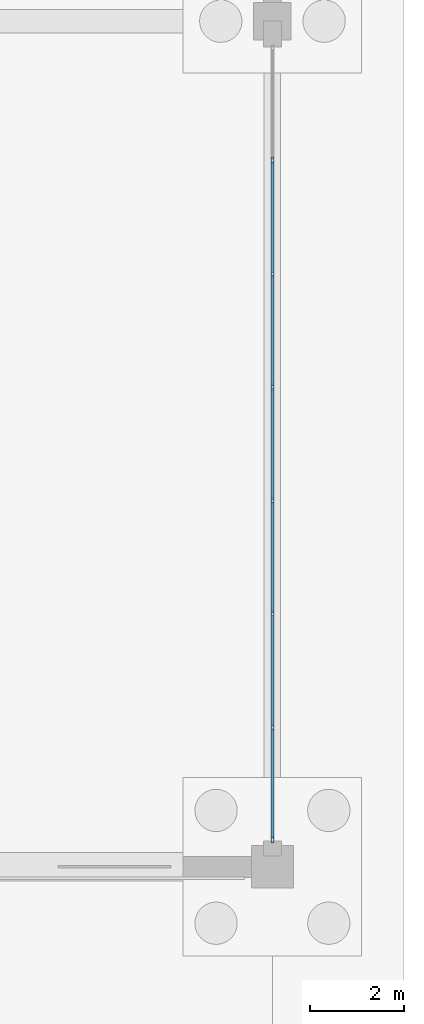
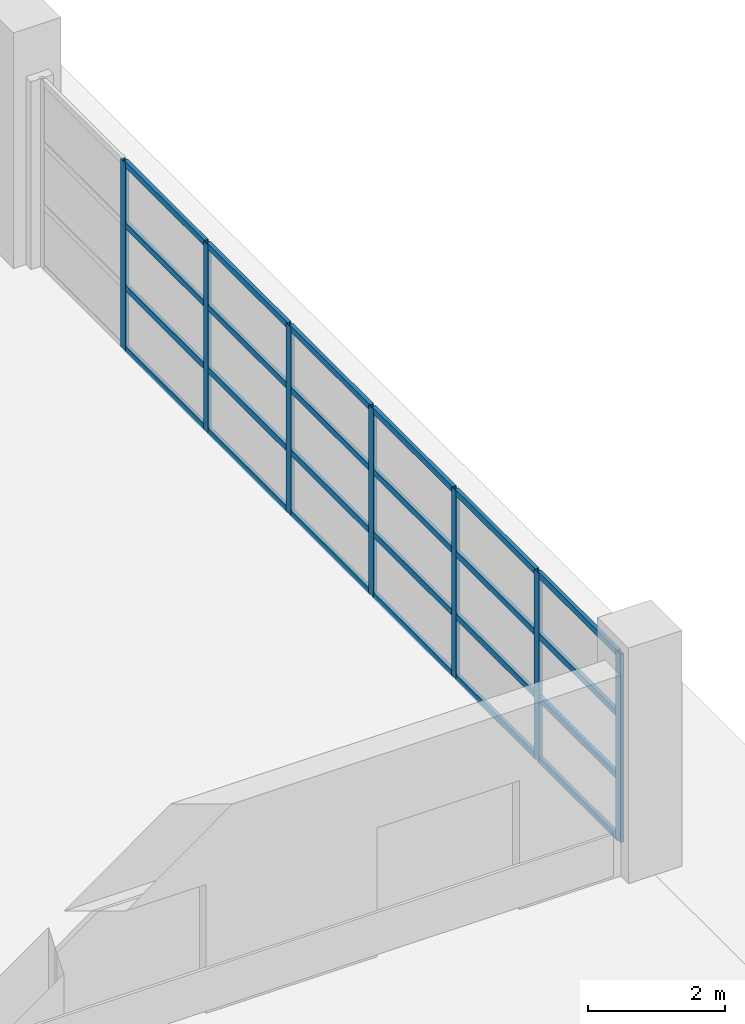
# One storey, part 43 of 77: 31 members, 1 element without a shape of its own.
"""IFC4 building model written with IfcOpenShell, lengths in metres."""

from ifc_helpers import new_model, si_unit, direction, frame, origin, origin_2d, place, context, subcontext, project, spatial, hollow_rectangle, extrude, material, layer, layer_set, material_profile, profile_set, type_object, element, aggregate, save


model = new_model("IFC4")

# Units and contexts
model_context = context("Model", 3, precision=1e-05, world=origin(), true_north=direction((0.0, 1.0)))
body_context = subcontext(model_context, "Body", "Model", "MODEL_VIEW")
ifc_project = project(units=[si_unit("LENGTHUNIT", "METRE"), si_unit("AREAUNIT", "SQUARE_METRE"), si_unit("VOLUMEUNIT", "CUBIC_METRE"), si_unit("PLANEANGLEUNIT", "RADIAN"), si_unit("MASSUNIT", "GRAM", prefix="KILO")], contexts=[model_context])

# Site, building, storey
site_placement = place(None, origin())
site = spatial("IfcSite", under=ifc_project, at=site_placement, CompositionType="ELEMENT")
building_placement = place(site_placement, origin())
building = spatial("IfcBuilding", under=site, at=building_placement, Name="Zilviju Railside Exhibition Hall", CompositionType="ELEMENT")
storey_placement = place(building_placement, origin())
storey = spatial("IfcBuildingStorey", under=building, at=storey_placement, Name="L01", CompositionType="ELEMENT", Elevation=0.0)

# Curtain wall, members
ifc_material_1 = material(Name="Thermally broken aluminium-steel triple-glazed curtain wall", Category="steel")
ifc_layer = layer(ifc_material_1, 0.179931640625)
ifc_layer_set = layer_set([ifc_layer], Name="Thermally broken aluminium-steel triple-glazed curtain wall")
curtain_wall_type = type_object("IfcCurtainWallType", Name="CW-BAY-03", PredefinedType="USERDEFINED", material=ifc_layer_set)
curtain_wall_placement = place(storey_placement, origin())
curtain_wall = element("IfcCurtainWall", 1, at=curtain_wall_placement, inside=storey, type_object=curtain_wall_type, Name="North Hall East Glazed Gable L01 (84..102)", ObjectType="GLAZED CURTAIN WALL", PredefinedType="USERDEFINED")
ifc_material_2 = material(Name="Thermally broken anodized aluminium mullion", Category="aluminium")
ifc_material_profile_1 = material_profile(ifc_material_2, hollow_rectangle(XDim=0.06005859375, YDim=0.139892578125, WallThickness=0.0048828125, at=origin_2d()), Name="MULLION 140x60x5")
ifc_profile_set_1 = profile_set([ifc_material_profile_1], Name="Thermally broken anodized aluminium mullion")
member_type_1 = type_object("IfcMemberType", Name="CWM-60x140", PredefinedType="MULLION", material=ifc_profile_set_1)
member_1_placement = place(storey_placement, frame((216.0, 99.03564453125, 0.0), z_axis=(0.0, 0.0, 1.0), x_axis=(1.0, 0.0, 0.0)))
member_1 = element("IfcMember", 2, at=member_1_placement, type_object=member_type_1, Name="CW-03 mullion 2", PredefinedType="MULLION", context=body_context, shape_type="SweptSolid", body=[
    extrude(hollow_rectangle(XDim=0.06005859375, YDim=0.139892578125, WallThickness=0.0048828125, at=origin_2d()), origin(), (0.0, 0.0, 1.0), 3.35009765625),
])
member_2_placement = place(storey_placement, frame((216.0, 96.621337890625, 0.0), z_axis=(0.0, 0.0, 1.0), x_axis=(1.0, 0.0, 0.0)))
member_2 = element("IfcMember", 3, at=member_2_placement, type_object=member_type_1, Name="CW-03 mullion 3", PredefinedType="MULLION", context=body_context, shape_type="SweptSolid", body=[
    extrude(hollow_rectangle(XDim=0.06005859375, YDim=0.139892578125, WallThickness=0.0048828125, at=origin_2d()), origin(), (0.0, 0.0, 1.0), 3.35009765625),
])
member_3_placement = place(storey_placement, frame((216.0, 94.20703125, 0.0), z_axis=(0.0, 0.0, 1.0), x_axis=(1.0, 0.0, 0.0)))
member_3 = element("IfcMember", 4, at=member_3_placement, type_object=member_type_1, Name="CW-03 mullion 4", PredefinedType="MULLION", context=body_context, shape_type="SweptSolid", body=[
    extrude(hollow_rectangle(XDim=0.06005859375, YDim=0.139892578125, WallThickness=0.0048828125, at=origin_2d()), origin(), (0.0, 0.0, 1.0), 3.35009765625),
])
member_4_placement = place(storey_placement, frame((216.0, 91.79296875, 0.0), z_axis=(0.0, 0.0, 1.0), x_axis=(1.0, 0.0, 0.0)))
member_4 = element("IfcMember", 5, at=member_4_placement, type_object=member_type_1, Name="CW-03 mullion 5", PredefinedType="MULLION", context=body_context, shape_type="SweptSolid", body=[
    extrude(hollow_rectangle(XDim=0.06005859375, YDim=0.139892578125, WallThickness=0.0048828125, at=origin_2d()), origin(), (0.0, 0.0, 1.0), 3.35009765625),
])
member_5_placement = place(storey_placement, frame((216.0, 89.378662109375, 0.0), z_axis=(0.0, 0.0, 1.0), x_axis=(1.0, 0.0, 0.0)))
member_5 = element("IfcMember", 6, at=member_5_placement, type_object=member_type_1, Name="CW-03 mullion 6", PredefinedType="MULLION", context=body_context, shape_type="SweptSolid", body=[
    extrude(hollow_rectangle(XDim=0.06005859375, YDim=0.139892578125, WallThickness=0.0048828125, at=origin_2d()), origin(), (0.0, 0.0, 1.0), 3.35009765625),
])
member_6_placement = place(storey_placement, frame((216.0, 86.96435546875, 0.0), z_axis=(0.0, 0.0, 1.0), x_axis=(1.0, 0.0, 0.0)))
member_6 = element("IfcMember", 7, at=member_6_placement, type_object=member_type_1, Name="CW-03 mullion 7", PredefinedType="MULLION", context=body_context, shape_type="SweptSolid", body=[
    extrude(hollow_rectangle(XDim=0.06005859375, YDim=0.139892578125, WallThickness=0.0048828125, at=origin_2d()), origin(), (0.0, 0.0, 1.0), 3.35009765625),
])
member_7_placement = place(storey_placement, frame((216.0, 84.580078125, 0.0), z_axis=(0.0, 0.0, 1.0), x_axis=(1.0, 0.0, 0.0)))
member_7 = element("IfcMember", 8, at=member_7_placement, type_object=member_type_1, Name="CW-03 mullion 8", PredefinedType="MULLION", context=body_context, shape_type="SweptSolid", body=[
    extrude(hollow_rectangle(XDim=0.06005859375, YDim=0.139892578125, WallThickness=0.0048828125, at=origin_2d()), origin(), (0.0, 0.0, 1.0), 3.35009765625),
])
ifc_material_3 = material(Name="Thermally broken anodized aluminium transom", Category="aluminium")
ifc_material_profile_2 = material_profile(ifc_material_3, hollow_rectangle(XDim=0.06005859375, YDim=0.110107421875, WallThickness=0.0048828125, at=origin_2d()), Name="TRANSOM 110x60x5")
ifc_profile_set_2 = profile_set([ifc_material_profile_2], Name="Thermally broken anodized aluminium transom")
member_type_2 = type_object("IfcMemberType", Name="CWT-60x110", PredefinedType="USERDEFINED", material=ifc_profile_set_2)
member_8_placement = place(storey_placement, frame((216.0, 99.005615234375, 0.030029296875), z_axis=(0.0, -1.0, 0.0), x_axis=(1.0, 0.0, 0.0)))
member_8 = element("IfcMember", 9, at=member_8_placement, type_object=member_type_2, Name="CW-03 transom 2.1", ObjectType="TRANSOM", PredefinedType="USERDEFINED", context=body_context, shape_type="SweptSolid", body=[
    extrude(hollow_rectangle(XDim=0.06005859375, YDim=0.110107421875, WallThickness=0.0048828125, at=origin_2d()), origin(), (0.0, 0.0, 1.0), 2.354248046875),
])
member_9_placement = place(storey_placement, frame((216.0, 99.005615234375, 1.116943359375), z_axis=(0.0, -1.0, 0.0), x_axis=(1.0, 0.0, 0.0)))
member_9 = element("IfcMember", 10, at=member_9_placement, type_object=member_type_2, Name="CW-03 transom 2.2", ObjectType="TRANSOM", PredefinedType="USERDEFINED", context=body_context, shape_type="SweptSolid", body=[
    extrude(hollow_rectangle(XDim=0.06005859375, YDim=0.110107421875, WallThickness=0.0048828125, at=origin_2d()), origin(), (0.0, 0.0, 1.0), 2.354248046875),
])
member_10_placement = place(storey_placement, frame((216.0, 99.005615234375, 2.23291015625), z_axis=(0.0, -1.0, 0.0), x_axis=(1.0, 0.0, 0.0)))
member_10 = element("IfcMember", 11, at=member_10_placement, type_object=member_type_2, Name="CW-03 transom 2.3", ObjectType="TRANSOM", PredefinedType="USERDEFINED", context=body_context, shape_type="SweptSolid", body=[
    extrude(hollow_rectangle(XDim=0.06005859375, YDim=0.110107421875, WallThickness=0.0048828125, at=origin_2d()), origin(), (0.0, 0.0, 1.0), 2.354248046875),
])
member_11_placement = place(storey_placement, frame((216.0, 99.005615234375, 3.320068359375), z_axis=(0.0, -1.0, 0.0), x_axis=(1.0, 0.0, 0.0)))
member_11 = element("IfcMember", 12, at=member_11_placement, type_object=member_type_2, Name="CW-03 transom 2.4", ObjectType="TRANSOM", PredefinedType="USERDEFINED", context=body_context, shape_type="SweptSolid", body=[
    extrude(hollow_rectangle(XDim=0.06005859375, YDim=0.110107421875, WallThickness=0.0048828125, at=origin_2d()), origin(), (0.0, 0.0, 1.0), 2.354248046875),
])
member_12_placement = place(storey_placement, frame((216.0, 96.59130859375, 0.030029296875), z_axis=(0.0, -1.0, 0.0), x_axis=(1.0, 0.0, 0.0)))
member_12 = element("IfcMember", 13, at=member_12_placement, type_object=member_type_2, Name="CW-03 transom 3.1", ObjectType="TRANSOM", PredefinedType="USERDEFINED", context=body_context, shape_type="SweptSolid", body=[
    extrude(hollow_rectangle(XDim=0.06005859375, YDim=0.110107421875, WallThickness=0.0048828125, at=origin_2d()), origin(), (0.0, 0.0, 1.0), 2.354248046875),
])
member_13_placement = place(storey_placement, frame((216.0, 96.59130859375, 1.116943359375), z_axis=(0.0, -1.0, 0.0), x_axis=(1.0, 0.0, 0.0)))
member_13 = element("IfcMember", 14, at=member_13_placement, type_object=member_type_2, Name="CW-03 transom 3.2", ObjectType="TRANSOM", PredefinedType="USERDEFINED", context=body_context, shape_type="SweptSolid", body=[
    extrude(hollow_rectangle(XDim=0.06005859375, YDim=0.110107421875, WallThickness=0.0048828125, at=origin_2d()), origin(), (0.0, 0.0, 1.0), 2.354248046875),
])
member_14_placement = place(storey_placement, frame((216.0, 96.59130859375, 2.23291015625), z_axis=(0.0, -1.0, 0.0), x_axis=(1.0, 0.0, 0.0)))
member_14 = element("IfcMember", 15, at=member_14_placement, type_object=member_type_2, Name="CW-03 transom 3.3", ObjectType="TRANSOM", PredefinedType="USERDEFINED", context=body_context, shape_type="SweptSolid", body=[
    extrude(hollow_rectangle(XDim=0.06005859375, YDim=0.110107421875, WallThickness=0.0048828125, at=origin_2d()), origin(), (0.0, 0.0, 1.0), 2.354248046875),
])
member_15_placement = place(storey_placement, frame((216.0, 96.59130859375, 3.320068359375), z_axis=(0.0, -1.0, 0.0), x_axis=(1.0, 0.0, 0.0)))
member_15 = element("IfcMember", 16, at=member_15_placement, type_object=member_type_2, Name="CW-03 transom 3.4", ObjectType="TRANSOM", PredefinedType="USERDEFINED", context=body_context, shape_type="SweptSolid", body=[
    extrude(hollow_rectangle(XDim=0.06005859375, YDim=0.110107421875, WallThickness=0.0048828125, at=origin_2d()), origin(), (0.0, 0.0, 1.0), 2.354248046875),
])
member_16_placement = place(storey_placement, frame((216.0, 94.17724609375, 0.030029296875), z_axis=(0.0, -1.0, 0.0), x_axis=(1.0, 0.0, 0.0)))
member_16 = element("IfcMember", 17, at=member_16_placement, type_object=member_type_2, Name="CW-03 transom 4.1", ObjectType="TRANSOM", PredefinedType="USERDEFINED", context=body_context, shape_type="SweptSolid", body=[
    extrude(hollow_rectangle(XDim=0.06005859375, YDim=0.110107421875, WallThickness=0.0048828125, at=origin_2d()), origin(), (0.0, 0.0, 1.0), 2.3544921875),
])
member_17_placement = place(storey_placement, frame((216.0, 94.17724609375, 1.116943359375), z_axis=(0.0, -1.0, 0.0), x_axis=(1.0, 0.0, 0.0)))
member_17 = element("IfcMember", 18, at=member_17_placement, type_object=member_type_2, Name="CW-03 transom 4.2", ObjectType="TRANSOM", PredefinedType="USERDEFINED", context=body_context, shape_type="SweptSolid", body=[
    extrude(hollow_rectangle(XDim=0.06005859375, YDim=0.110107421875, WallThickness=0.0048828125, at=origin_2d()), origin(), (0.0, 0.0, 1.0), 2.3544921875),
])
member_18_placement = place(storey_placement, frame((216.0, 94.17724609375, 2.23291015625), z_axis=(0.0, -1.0, 0.0), x_axis=(1.0, 0.0, 0.0)))
member_18 = element("IfcMember", 19, at=member_18_placement, type_object=member_type_2, Name="CW-03 transom 4.3", ObjectType="TRANSOM", PredefinedType="USERDEFINED", context=body_context, shape_type="SweptSolid", body=[
    extrude(hollow_rectangle(XDim=0.06005859375, YDim=0.110107421875, WallThickness=0.0048828125, at=origin_2d()), origin(), (0.0, 0.0, 1.0), 2.3544921875),
])
member_19_placement = place(storey_placement, frame((216.0, 94.17724609375, 3.320068359375), z_axis=(0.0, -1.0, 0.0), x_axis=(1.0, 0.0, 0.0)))
member_19 = element("IfcMember", 20, at=member_19_placement, type_object=member_type_2, Name="CW-03 transom 4.4", ObjectType="TRANSOM", PredefinedType="USERDEFINED", context=body_context, shape_type="SweptSolid", body=[
    extrude(hollow_rectangle(XDim=0.06005859375, YDim=0.110107421875, WallThickness=0.0048828125, at=origin_2d()), origin(), (0.0, 0.0, 1.0), 2.3544921875),
])
member_20_placement = place(storey_placement, frame((216.0, 91.762939453125, 0.030029296875), z_axis=(0.0, -1.0, 0.0), x_axis=(1.0, 0.0, 0.0)))
member_20 = element("IfcMember", 21, at=member_20_placement, type_object=member_type_2, Name="CW-03 transom 5.1", ObjectType="TRANSOM", PredefinedType="USERDEFINED", context=body_context, shape_type="SweptSolid", body=[
    extrude(hollow_rectangle(XDim=0.06005859375, YDim=0.110107421875, WallThickness=0.0048828125, at=origin_2d()), origin(), (0.0, 0.0, 1.0), 2.354248046875),
])
member_21_placement = place(storey_placement, frame((216.0, 91.762939453125, 1.116943359375), z_axis=(0.0, -1.0, 0.0), x_axis=(1.0, 0.0, 0.0)))
member_21 = element("IfcMember", 22, at=member_21_placement, type_object=member_type_2, Name="CW-03 transom 5.2", ObjectType="TRANSOM", PredefinedType="USERDEFINED", context=body_context, shape_type="SweptSolid", body=[
    extrude(hollow_rectangle(XDim=0.06005859375, YDim=0.110107421875, WallThickness=0.0048828125, at=origin_2d()), origin(), (0.0, 0.0, 1.0), 2.354248046875),
])
member_22_placement = place(storey_placement, frame((216.0, 91.762939453125, 2.23291015625), z_axis=(0.0, -1.0, 0.0), x_axis=(1.0, 0.0, 0.0)))
member_22 = element("IfcMember", 23, at=member_22_placement, type_object=member_type_2, Name="CW-03 transom 5.3", ObjectType="TRANSOM", PredefinedType="USERDEFINED", context=body_context, shape_type="SweptSolid", body=[
    extrude(hollow_rectangle(XDim=0.06005859375, YDim=0.110107421875, WallThickness=0.0048828125, at=origin_2d()), origin(), (0.0, 0.0, 1.0), 2.354248046875),
])
member_23_placement = place(storey_placement, frame((216.0, 91.762939453125, 3.320068359375), z_axis=(0.0, -1.0, 0.0), x_axis=(1.0, 0.0, 0.0)))
member_23 = element("IfcMember", 24, at=member_23_placement, type_object=member_type_2, Name="CW-03 transom 5.4", ObjectType="TRANSOM", PredefinedType="USERDEFINED", context=body_context, shape_type="SweptSolid", body=[
    extrude(hollow_rectangle(XDim=0.06005859375, YDim=0.110107421875, WallThickness=0.0048828125, at=origin_2d()), origin(), (0.0, 0.0, 1.0), 2.354248046875),
])
member_24_placement = place(storey_placement, frame((216.0, 89.3486328125, 0.030029296875), z_axis=(0.0, -1.0, 0.0), x_axis=(1.0, 0.0, 0.0)))
member_24 = element("IfcMember", 25, at=member_24_placement, type_object=member_type_2, Name="CW-03 transom 6.1", ObjectType="TRANSOM", PredefinedType="USERDEFINED", context=body_context, shape_type="SweptSolid", body=[
    extrude(hollow_rectangle(XDim=0.06005859375, YDim=0.110107421875, WallThickness=0.0048828125, at=origin_2d()), origin(), (0.0, 0.0, 1.0), 2.354248046875),
])
member_25_placement = place(storey_placement, frame((216.0, 89.3486328125, 1.116943359375), z_axis=(0.0, -1.0, 0.0), x_axis=(1.0, 0.0, 0.0)))
member_25 = element("IfcMember", 26, at=member_25_placement, type_object=member_type_2, Name="CW-03 transom 6.2", ObjectType="TRANSOM", PredefinedType="USERDEFINED", context=body_context, shape_type="SweptSolid", body=[
    extrude(hollow_rectangle(XDim=0.06005859375, YDim=0.110107421875, WallThickness=0.0048828125, at=origin_2d()), origin(), (0.0, 0.0, 1.0), 2.354248046875),
])
member_26_placement = place(storey_placement, frame((216.0, 89.3486328125, 2.23291015625), z_axis=(0.0, -1.0, 0.0), x_axis=(1.0, 0.0, 0.0)))
member_26 = element("IfcMember", 27, at=member_26_placement, type_object=member_type_2, Name="CW-03 transom 6.3", ObjectType="TRANSOM", PredefinedType="USERDEFINED", context=body_context, shape_type="SweptSolid", body=[
    extrude(hollow_rectangle(XDim=0.06005859375, YDim=0.110107421875, WallThickness=0.0048828125, at=origin_2d()), origin(), (0.0, 0.0, 1.0), 2.354248046875),
])
member_27_placement = place(storey_placement, frame((216.0, 89.3486328125, 3.320068359375), z_axis=(0.0, -1.0, 0.0), x_axis=(1.0, 0.0, 0.0)))
member_27 = element("IfcMember", 28, at=member_27_placement, type_object=member_type_2, Name="CW-03 transom 6.4", ObjectType="TRANSOM", PredefinedType="USERDEFINED", context=body_context, shape_type="SweptSolid", body=[
    extrude(hollow_rectangle(XDim=0.06005859375, YDim=0.110107421875, WallThickness=0.0048828125, at=origin_2d()), origin(), (0.0, 0.0, 1.0), 2.354248046875),
])
member_28_placement = place(storey_placement, frame((216.0, 86.934326171875, 0.030029296875), z_axis=(0.0, -1.0, 0.0), x_axis=(1.0, 0.0, 0.0)))
member_28 = element("IfcMember", 29, at=member_28_placement, type_object=member_type_2, Name="CW-03 transom 7.1", ObjectType="TRANSOM", PredefinedType="USERDEFINED", context=body_context, shape_type="SweptSolid", body=[
    extrude(hollow_rectangle(XDim=0.06005859375, YDim=0.110107421875, WallThickness=0.0048828125, at=origin_2d()), origin(), (0.0, 0.0, 1.0), 2.32421875),
])
member_29_placement = place(storey_placement, frame((216.0, 86.934326171875, 1.116943359375), z_axis=(0.0, -1.0, 0.0), x_axis=(1.0, 0.0, 0.0)))
member_29 = element("IfcMember", 30, at=member_29_placement, type_object=member_type_2, Name="CW-03 transom 7.2", ObjectType="TRANSOM", PredefinedType="USERDEFINED", context=body_context, shape_type="SweptSolid", body=[
    extrude(hollow_rectangle(XDim=0.06005859375, YDim=0.110107421875, WallThickness=0.0048828125, at=origin_2d()), origin(), (0.0, 0.0, 1.0), 2.32421875),
])
member_30_placement = place(storey_placement, frame((216.0, 86.934326171875, 2.23291015625), z_axis=(0.0, -1.0, 0.0), x_axis=(1.0, 0.0, 0.0)))
member_30 = element("IfcMember", 31, at=member_30_placement, type_object=member_type_2, Name="CW-03 transom 7.3", ObjectType="TRANSOM", PredefinedType="USERDEFINED", context=body_context, shape_type="SweptSolid", body=[
    extrude(hollow_rectangle(XDim=0.06005859375, YDim=0.110107421875, WallThickness=0.0048828125, at=origin_2d()), origin(), (0.0, 0.0, 1.0), 2.32421875),
])
member_31_placement = place(storey_placement, frame((216.0, 86.934326171875, 3.320068359375), z_axis=(0.0, -1.0, 0.0), x_axis=(1.0, 0.0, 0.0)))
member_31 = element("IfcMember", 32, at=member_31_placement, type_object=member_type_2, Name="CW-03 transom 7.4", ObjectType="TRANSOM", PredefinedType="USERDEFINED", context=body_context, shape_type="SweptSolid", body=[
    extrude(hollow_rectangle(XDim=0.06005859375, YDim=0.110107421875, WallThickness=0.0048828125, at=origin_2d()), origin(), (0.0, 0.0, 1.0), 2.32421875),
])
aggregate(curtain_wall, [member_1, member_2, member_3, member_4, member_5, member_6, member_7, member_8, member_9, member_10, member_11, member_12, member_13, member_14, member_15, member_16, member_17, member_18, member_19, member_20, member_21, member_22, member_23, member_24, member_25, member_26, member_27, member_28, member_29, member_30, member_31])

save(model, "model.ifc")
